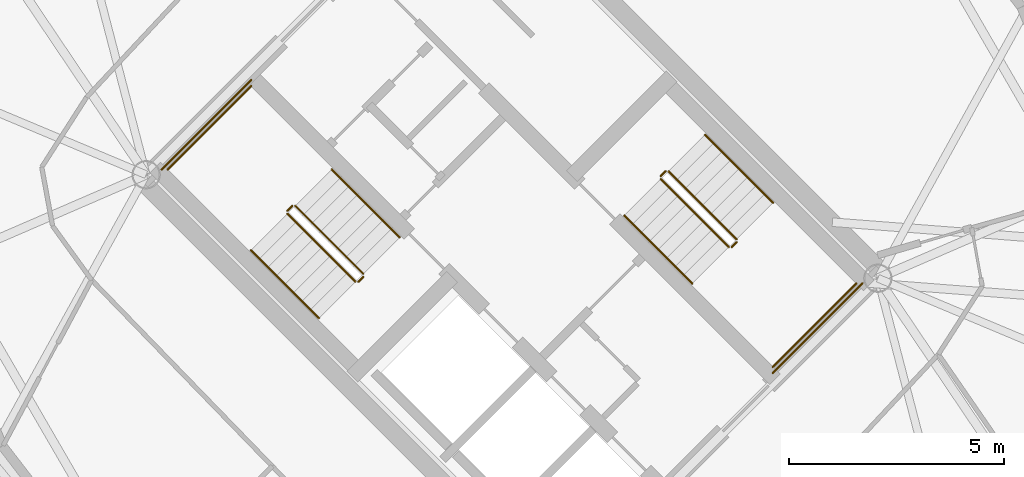
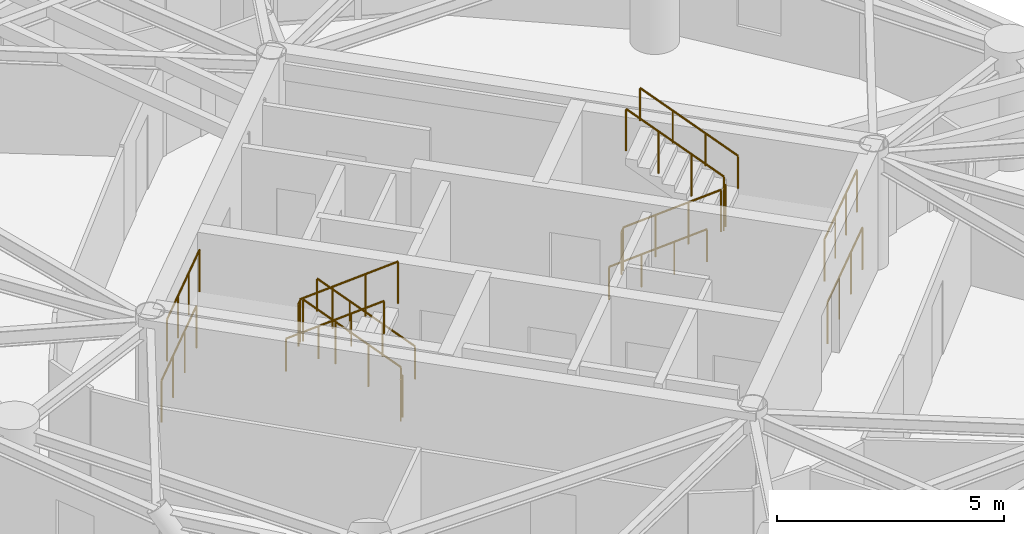
# One storey, part 15 of 15: 16 railings.
"""IFC4 building model written with IfcOpenShell, lengths in metres."""

from ifc_helpers import new_model, si_unit, direction, frame, origin, origin_2d, place, context, subcontext, project, spatial, circle, extrude, material, type_object, element, save


model = new_model("IFC4")

# Units and contexts
model_context = context("Model", 3, precision=1e-05, world=origin(), true_north=direction((0.0, 1.0)))
body_context = subcontext(model_context, "Body", "Model", "MODEL_VIEW")
ifc_project = project(units=[si_unit("LENGTHUNIT", "METRE"), si_unit("AREAUNIT", "SQUARE_METRE"), si_unit("VOLUMEUNIT", "CUBIC_METRE"), si_unit("PLANEANGLEUNIT", "RADIAN"), si_unit("MASSUNIT", "GRAM", prefix="KILO")], contexts=[model_context])

# Site, building, storey
site_placement = place(None, origin())
site = spatial("IfcSite", under=ifc_project, at=site_placement, CompositionType="ELEMENT")
building_placement = place(site_placement, origin())
building = spatial("IfcBuilding", under=site, at=building_placement, Name="Cununo Teusaquillo Station Towers", CompositionType="ELEMENT")
storey_placement = place(building_placement, frame((0.0, 0.0, 229.25)))
storey = spatial("IfcBuildingStorey", under=building, at=storey_placement, Name="L73", CompositionType="ELEMENT", Elevation=229.25)

# Railings
ifc_material_1 = material(Name="Steel EN 10025-2 S355J2", Category="steel")
railing_type_1 = type_object("IfcRailingType", Name="RL-INT-GUARD", PredefinedType="GUARDRAIL", material=ifc_material_1)
railing_1_placement = place(storey_placement, frame((54.03515625, 23.39697265625, 0.177734375)))
element("IfcRailing", 1, at=railing_1_placement, inside=storey, type_object=railing_type_1, Name="L73 ST-T2-1 stair guard 1", PredefinedType="GUARDRAIL", context=body_context, shape_type="SweptSolid", body=[
    extrude(circle(Radius=0.02392578125, at=origin_2d()), frame((0.0, 0.0, 1.1259765625), z_axis=(-0.596912214206, 0.596912214206, 0.536089187601), x_axis=(-0.707106781187, -0.707106781187, 0.0)), (0.0, 0.0, 1.0), 2.6533203125),
    extrude(circle(Radius=0.02099609375, at=origin_2d()), origin(), (0.0, 0.0, 1.0), 1.101806640625),
    extrude(circle(Radius=0.02099609375, at=origin_2d()), frame((-0.52783203125, 0.52783203125, 0.47412109375)), (0.0, 0.0, 1.0), 1.101806640625),
    extrude(circle(Radius=0.02099609375, at=origin_2d()), frame((-1.055908203125, 1.055908203125, 0.9482421875)), (0.0, 0.0, 1.0), 1.101806640625),
    extrude(circle(Radius=0.02099609375, at=origin_2d()), frame((-1.583740234375, 1.583740234375, 1.42236328125)), (0.0, 0.0, 1.0), 1.101806640625),
])
railing_2_placement = place(storey_placement, frame((52.380615234375, 24.980712890625, 1.60009765625)))
element("IfcRailing", 2, at=railing_2_placement, inside=storey, type_object=railing_type_1, Name="L73 ST-T2-1 stair guard 2", PredefinedType="GUARDRAIL", context=body_context, shape_type="SweptSolid", body=[
    extrude(circle(Radius=0.02392578125, at=origin_2d()), frame((0.0, 0.0, 1.1259765625), z_axis=(-0.7078691598, -0.706343579714, 0.0), x_axis=(0.706343579714, -0.7078691598, 0.0)), (0.0, 0.0, 1.0), 0.159912109375),
    extrude(circle(Radius=0.02099609375, at=origin_2d()), origin(), (0.0, 0.0, 1.0), 1.101806640625),
    extrude(circle(Radius=0.02099609375, at=origin_2d()), frame((-0.11328125, -0.113037109375, 0.0)), (0.0, 0.0, 1.0), 1.101806640625),
])
railing_3_placement = place(storey_placement, frame((51.426025390625, 27.77392578125, 1.60009765625)))
element("IfcRailing", 3, at=railing_3_placement, inside=storey, type_object=railing_type_1, Name="L73 ST-T2-1 stair guard 3", PredefinedType="GUARDRAIL", context=body_context, shape_type="SweptSolid", body=[
    extrude(circle(Radius=0.02392578125, at=origin_2d()), frame((0.0, 0.0, 1.1259765625), z_axis=(-0.707106781187, -0.707106781187, 0.0), x_axis=(0.707106781187, -0.707106781187, 0.0)), (0.0, 0.0, 1.0), 2.760009765625),
    extrude(circle(Radius=0.02099609375, at=origin_2d()), origin(), (0.0, 0.0, 1.0), 1.101806640625),
    extrude(circle(Radius=0.02099609375, at=origin_2d()), frame((-0.650634765625, -0.650634765625, 0.0)), (0.0, 0.0, 1.0), 1.101806640625),
    extrude(circle(Radius=0.02099609375, at=origin_2d()), frame((-1.301025390625, -1.301025390625, 0.0)), (0.0, 0.0, 1.0), 1.101806640625),
    extrude(circle(Radius=0.02099609375, at=origin_2d()), frame((-1.95166015625, -1.95166015625, 0.0)), (0.0, 0.0, 1.0), 1.101806640625),
])
railing_4_placement = place(storey_placement, frame((52.267333984375, 24.796875, 1.77783203125)))
element("IfcRailing", 4, at=railing_4_placement, inside=storey, type_object=railing_type_1, Name="L73 ST-T2-1 stair guard 4", PredefinedType="GUARDRAIL", context=body_context, shape_type="SweptSolid", body=[
    extrude(circle(Radius=0.02392578125, at=origin_2d()), frame((0.0, 0.0, 1.1259765625), z_axis=(0.597000884588, -0.596908868422, 0.535994166573), x_axis=(0.707052281454, 0.707161276719, 0.0)), (0.0, 0.0, 1.0), 2.6533203125),
    extrude(circle(Radius=0.02099609375, at=origin_2d()), origin(), (0.0, 0.0, 1.0), 1.101806640625),
    extrude(circle(Radius=0.02099609375, at=origin_2d()), frame((0.528076171875, -0.52783203125, 0.47412109375)), (0.0, 0.0, 1.0), 1.101806640625),
    extrude(circle(Radius=0.02099609375, at=origin_2d()), frame((1.055908203125, -1.055908203125, 0.947998046875)), (0.0, 0.0, 1.0), 1.101806640625),
    extrude(circle(Radius=0.02099609375, at=origin_2d()), frame((1.583984375, -1.583740234375, 1.422119140625)), (0.0, 0.0, 1.0), 1.101806640625),
])
railing_5_placement = place(storey_placement, frame((54.03515625, 23.326171875, 0.0)))
element("IfcRailing", 5, at=railing_5_placement, inside=storey, type_object=railing_type_1, Name="L73 ST-T2-1 stair guard 5", PredefinedType="GUARDRAIL", context=body_context, shape_type="SweptSolid", body=[
    extrude(circle(Radius=0.02392578125, at=origin_2d()), frame((0.0, 0.0, 1.1259765625), z_axis=(-0.707106781187, -0.707106781187, 0.0), x_axis=(0.707106781187, -0.707106781187, 0.0)), (0.0, 0.0, 1.0), 0.159912109375),
    extrude(circle(Radius=0.02099609375, at=origin_2d()), origin(), (0.0, 0.0, 1.0), 1.101806640625),
    extrude(circle(Radius=0.02099609375, at=origin_2d()), frame((-0.113037109375, -0.113037109375, 0.0)), (0.0, 0.0, 1.0), 1.101806640625),
])
railing_6_placement = place(storey_placement, frame((51.426025390625, 27.915283203125, 0.0)))
element("IfcRailing", 6, at=railing_6_placement, inside=storey, type_object=railing_type_1, Name="L73 ST-T2-1 stair guard 6", PredefinedType="GUARDRAIL", context=body_context, shape_type="SweptSolid", body=[
    extrude(circle(Radius=0.02392578125, at=origin_2d()), frame((0.0, 0.0, 1.1259765625), z_axis=(-0.707106781187, -0.707106781187, 0.0), x_axis=(0.707106781187, -0.707106781187, 0.0)), (0.0, 0.0, 1.0), 2.9599609375),
    extrude(circle(Radius=0.02099609375, at=origin_2d()), origin(), (0.0, 0.0, 1.0), 1.101806640625),
    extrude(circle(Radius=0.02099609375, at=origin_2d()), frame((-0.69775390625, -0.69775390625, 0.0)), (0.0, 0.0, 1.0), 1.101806640625),
    extrude(circle(Radius=0.02099609375, at=origin_2d()), frame((-1.395263671875, -1.395263671875, 0.0)), (0.0, 0.0, 1.0), 1.101806640625),
    extrude(circle(Radius=0.02099609375, at=origin_2d()), frame((-2.093017578125, -2.093017578125, 0.0)), (0.0, 0.0, 1.0), 1.101806640625),
])
railing_7_placement = place(storey_placement, frame((60.96484375, 25.60302734375, 0.177734375)))
element("IfcRailing", 7, at=railing_7_placement, inside=storey, type_object=railing_type_1, Name="L73 ST-T2-2 stair guard 1", PredefinedType="GUARDRAIL", context=body_context, shape_type="SweptSolid", body=[
    extrude(circle(Radius=0.02392578125, at=origin_2d()), frame((0.0, 0.0, 1.1259765625), z_axis=(0.596912214206, -0.596912214206, 0.536089187601), x_axis=(0.707106781187, 0.707106781187, 0.0)), (0.0, 0.0, 1.0), 2.6533203125),
    extrude(circle(Radius=0.02099609375, at=origin_2d()), origin(), (0.0, 0.0, 1.0), 1.101806640625),
    extrude(circle(Radius=0.02099609375, at=origin_2d()), frame((0.52783203125, -0.52783203125, 0.47412109375)), (0.0, 0.0, 1.0), 1.101806640625),
    extrude(circle(Radius=0.02099609375, at=origin_2d()), frame((1.055908203125, -1.055908203125, 0.9482421875)), (0.0, 0.0, 1.0), 1.101806640625),
    extrude(circle(Radius=0.02099609375, at=origin_2d()), frame((1.583740234375, -1.583740234375, 1.42236328125)), (0.0, 0.0, 1.0), 1.101806640625),
])
railing_8_placement = place(storey_placement, frame((62.619384765625, 24.019287109375, 1.60009765625)))
element("IfcRailing", 8, at=railing_8_placement, inside=storey, type_object=railing_type_1, Name="L73 ST-T2-2 stair guard 2", PredefinedType="GUARDRAIL", context=body_context, shape_type="SweptSolid", body=[
    extrude(circle(Radius=0.02392578125, at=origin_2d()), frame((0.0, 0.0, 1.1259765625), z_axis=(0.7078691598, 0.706343579714, 0.0), x_axis=(-0.706343579714, 0.7078691598, 0.0)), (0.0, 0.0, 1.0), 0.159912109375),
    extrude(circle(Radius=0.02099609375, at=origin_2d()), origin(), (0.0, 0.0, 1.0), 1.101806640625),
    extrude(circle(Radius=0.02099609375, at=origin_2d()), frame((0.11328125, 0.113037109375, 0.0)), (0.0, 0.0, 1.0), 1.101806640625),
])
railing_9_placement = place(storey_placement, frame((63.573974609375, 21.22607421875, 1.60009765625)))
element("IfcRailing", 9, at=railing_9_placement, inside=storey, type_object=railing_type_1, Name="L73 ST-T2-2 stair guard 3", PredefinedType="GUARDRAIL", context=body_context, shape_type="SweptSolid", body=[
    extrude(circle(Radius=0.02392578125, at=origin_2d()), frame((0.0, 0.0, 1.1259765625), z_axis=(0.707106781187, 0.707106781187, 0.0), x_axis=(-0.707106781187, 0.707106781187, 0.0)), (0.0, 0.0, 1.0), 2.760009765625),
    extrude(circle(Radius=0.02099609375, at=origin_2d()), origin(), (0.0, 0.0, 1.0), 1.101806640625),
    extrude(circle(Radius=0.02099609375, at=origin_2d()), frame((0.650634765625, 0.650634765625, 0.0)), (0.0, 0.0, 1.0), 1.101806640625),
    extrude(circle(Radius=0.02099609375, at=origin_2d()), frame((1.301025390625, 1.301025390625, 0.0)), (0.0, 0.0, 1.0), 1.101806640625),
    extrude(circle(Radius=0.02099609375, at=origin_2d()), frame((1.95166015625, 1.95166015625, 0.0)), (0.0, 0.0, 1.0), 1.101806640625),
])
railing_10_placement = place(storey_placement, frame((62.732666015625, 24.203125, 1.77783203125)))
element("IfcRailing", 10, at=railing_10_placement, inside=storey, type_object=railing_type_1, Name="L73 ST-T2-2 stair guard 4", PredefinedType="GUARDRAIL", context=body_context, shape_type="SweptSolid", body=[
    extrude(circle(Radius=0.02392578125, at=origin_2d()), frame((0.0, 0.0, 1.1259765625), z_axis=(-0.597000884588, 0.596908868422, 0.535994166573), x_axis=(-0.707052281454, -0.707161276719, 0.0)), (0.0, 0.0, 1.0), 2.6533203125),
    extrude(circle(Radius=0.02099609375, at=origin_2d()), origin(), (0.0, 0.0, 1.0), 1.101806640625),
    extrude(circle(Radius=0.02099609375, at=origin_2d()), frame((-0.528076171875, 0.52783203125, 0.47412109375)), (0.0, 0.0, 1.0), 1.101806640625),
    extrude(circle(Radius=0.02099609375, at=origin_2d()), frame((-1.055908203125, 1.055908203125, 0.947998046875)), (0.0, 0.0, 1.0), 1.101806640625),
    extrude(circle(Radius=0.02099609375, at=origin_2d()), frame((-1.583984375, 1.583740234375, 1.422119140625)), (0.0, 0.0, 1.0), 1.101806640625),
])
railing_11_placement = place(storey_placement, frame((60.96484375, 25.673828125, 0.0)))
element("IfcRailing", 11, at=railing_11_placement, inside=storey, type_object=railing_type_1, Name="L73 ST-T2-2 stair guard 5", PredefinedType="GUARDRAIL", context=body_context, shape_type="SweptSolid", body=[
    extrude(circle(Radius=0.02392578125, at=origin_2d()), frame((0.0, 0.0, 1.1259765625), z_axis=(0.707106781187, 0.707106781187, 0.0), x_axis=(-0.707106781187, 0.707106781187, 0.0)), (0.0, 0.0, 1.0), 0.159912109375),
    extrude(circle(Radius=0.02099609375, at=origin_2d()), origin(), (0.0, 0.0, 1.0), 1.101806640625),
    extrude(circle(Radius=0.02099609375, at=origin_2d()), frame((0.113037109375, 0.113037109375, 0.0)), (0.0, 0.0, 1.0), 1.101806640625),
])
railing_12_placement = place(storey_placement, frame((63.573974609375, 21.084716796875, 0.0)))
element("IfcRailing", 12, at=railing_12_placement, inside=storey, type_object=railing_type_1, Name="L73 ST-T2-2 stair guard 6", PredefinedType="GUARDRAIL", context=body_context, shape_type="SweptSolid", body=[
    extrude(circle(Radius=0.02392578125, at=origin_2d()), frame((0.0, 0.0, 1.1259765625), z_axis=(0.707106781187, 0.707106781187, 0.0), x_axis=(-0.707106781187, 0.707106781187, 0.0)), (0.0, 0.0, 1.0), 2.9599609375),
    extrude(circle(Radius=0.02099609375, at=origin_2d()), origin(), (0.0, 0.0, 1.0), 1.101806640625),
    extrude(circle(Radius=0.02099609375, at=origin_2d()), frame((0.69775390625, 0.69775390625, 0.0)), (0.0, 0.0, 1.0), 1.101806640625),
    extrude(circle(Radius=0.02099609375, at=origin_2d()), frame((1.395263671875, 1.395263671875, 0.0)), (0.0, 0.0, 1.0), 1.101806640625),
    extrude(circle(Radius=0.02099609375, at=origin_2d()), frame((2.093017578125, 2.093017578125, 0.0)), (0.0, 0.0, 1.0), 1.101806640625),
])
ifc_material_2 = material(Name="Steel EN 10025-2 S355J2", Category="steel")
railing_type_2 = type_object("IfcRailingType", Name="RL-INT-HRAIL", PredefinedType="HANDRAIL", material=ifc_material_2)
railing_13_placement = place(storey_placement, frame((54.8837890625, 24.245361328125, 0.177734375)))
element("IfcRailing", 13, at=railing_13_placement, inside=storey, type_object=railing_type_2, Name="L73 ST-T2-1 stair handrail 1", PredefinedType="HANDRAIL", context=body_context, shape_type="SweptSolid", body=[
    extrude(circle(Radius=0.02392578125, at=origin_2d()), frame((0.0, 0.0, 0.8759765625), z_axis=(-0.596938654672, 0.596938654672, 0.536030302423), x_axis=(-0.707106781187, -0.707106781187, 0.0)), (0.0, 0.0, 1.0), 2.653564453125),
    extrude(circle(Radius=0.02099609375, at=origin_2d()), origin(), (0.0, 0.0, 1.0), 0.851806640625),
    extrude(circle(Radius=0.02099609375, at=origin_2d()), frame((-0.528076171875, 0.528076171875, 0.47412109375)), (0.0, 0.0, 1.0), 0.851806640625),
    extrude(circle(Radius=0.02099609375, at=origin_2d()), frame((-1.055908203125, 1.055908203125, 0.9482421875)), (0.0, 0.0, 1.0), 0.851806640625),
    extrude(circle(Radius=0.02099609375, at=origin_2d()), frame((-1.583984375, 1.583984375, 1.42236328125)), (0.0, 0.0, 1.0), 0.851806640625),
])
railing_14_placement = place(storey_placement, frame((51.4189453125, 23.948486328125, 1.77783203125)))
element("IfcRailing", 14, at=railing_14_placement, inside=storey, type_object=railing_type_2, Name="L73 ST-T2-1 stair handrail 2", PredefinedType="HANDRAIL", context=body_context, shape_type="SweptSolid", body=[
    extrude(circle(Radius=0.02392578125, at=origin_2d()), frame((0.0, 0.0, 0.8759765625), z_axis=(0.59696809433, -0.59696809433, 0.535964727108), x_axis=(0.707106781187, 0.707106781187, 0.0)), (0.0, 0.0, 1.0), 2.6533203125),
    extrude(circle(Radius=0.02099609375, at=origin_2d()), origin(), (0.0, 0.0, 1.0), 0.851806640625),
    extrude(circle(Radius=0.02099609375, at=origin_2d()), frame((0.528076171875, -0.528076171875, 0.47412109375)), (0.0, 0.0, 1.0), 0.851806640625),
    extrude(circle(Radius=0.02099609375, at=origin_2d()), frame((1.055908203125, -1.055908203125, 0.947998046875)), (0.0, 0.0, 1.0), 0.851806640625),
    extrude(circle(Radius=0.02099609375, at=origin_2d()), frame((1.583984375, -1.583984375, 1.422119140625)), (0.0, 0.0, 1.0), 0.851806640625),
])
railing_15_placement = place(storey_placement, frame((60.1162109375, 24.754638671875, 0.177734375)))
element("IfcRailing", 15, at=railing_15_placement, inside=storey, type_object=railing_type_2, Name="L73 ST-T2-2 stair handrail 1", PredefinedType="HANDRAIL", context=body_context, shape_type="SweptSolid", body=[
    extrude(circle(Radius=0.02392578125, at=origin_2d()), frame((0.0, 0.0, 0.8759765625), z_axis=(0.596938654672, -0.596938654672, 0.536030302423), x_axis=(0.707106781187, 0.707106781187, 0.0)), (0.0, 0.0, 1.0), 2.653564453125),
    extrude(circle(Radius=0.02099609375, at=origin_2d()), origin(), (0.0, 0.0, 1.0), 0.851806640625),
    extrude(circle(Radius=0.02099609375, at=origin_2d()), frame((0.528076171875, -0.528076171875, 0.47412109375)), (0.0, 0.0, 1.0), 0.851806640625),
    extrude(circle(Radius=0.02099609375, at=origin_2d()), frame((1.055908203125, -1.055908203125, 0.9482421875)), (0.0, 0.0, 1.0), 0.851806640625),
    extrude(circle(Radius=0.02099609375, at=origin_2d()), frame((1.583984375, -1.583984375, 1.42236328125)), (0.0, 0.0, 1.0), 0.851806640625),
])
railing_16_placement = place(storey_placement, frame((63.5810546875, 25.051513671875, 1.77783203125)))
element("IfcRailing", 16, at=railing_16_placement, inside=storey, type_object=railing_type_2, Name="L73 ST-T2-2 stair handrail 2", PredefinedType="HANDRAIL", context=body_context, shape_type="SweptSolid", body=[
    extrude(circle(Radius=0.02392578125, at=origin_2d()), frame((0.0, 0.0, 0.8759765625), z_axis=(-0.59696809433, 0.59696809433, 0.535964727108), x_axis=(-0.707106781187, -0.707106781187, 0.0)), (0.0, 0.0, 1.0), 2.6533203125),
    extrude(circle(Radius=0.02099609375, at=origin_2d()), origin(), (0.0, 0.0, 1.0), 0.851806640625),
    extrude(circle(Radius=0.02099609375, at=origin_2d()), frame((-0.528076171875, 0.528076171875, 0.47412109375)), (0.0, 0.0, 1.0), 0.851806640625),
    extrude(circle(Radius=0.02099609375, at=origin_2d()), frame((-1.055908203125, 1.055908203125, 0.947998046875)), (0.0, 0.0, 1.0), 0.851806640625),
    extrude(circle(Radius=0.02099609375, at=origin_2d()), frame((-1.583984375, 1.583984375, 1.422119140625)), (0.0, 0.0, 1.0), 0.851806640625),
])

save(model, "model.ifc")
